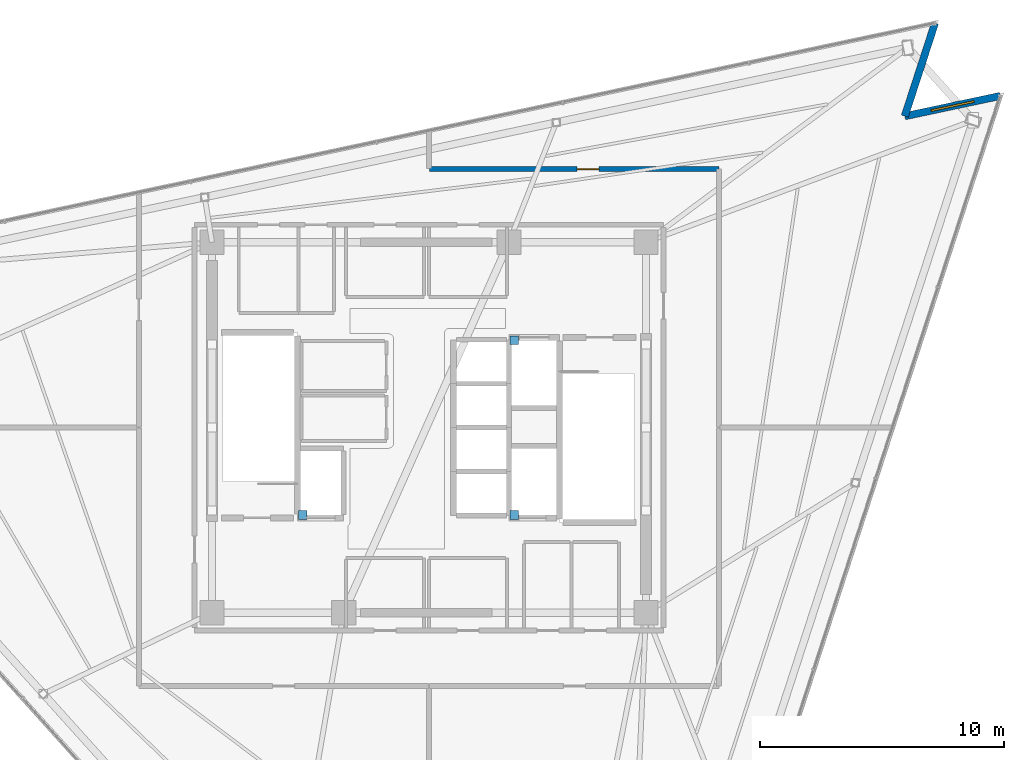
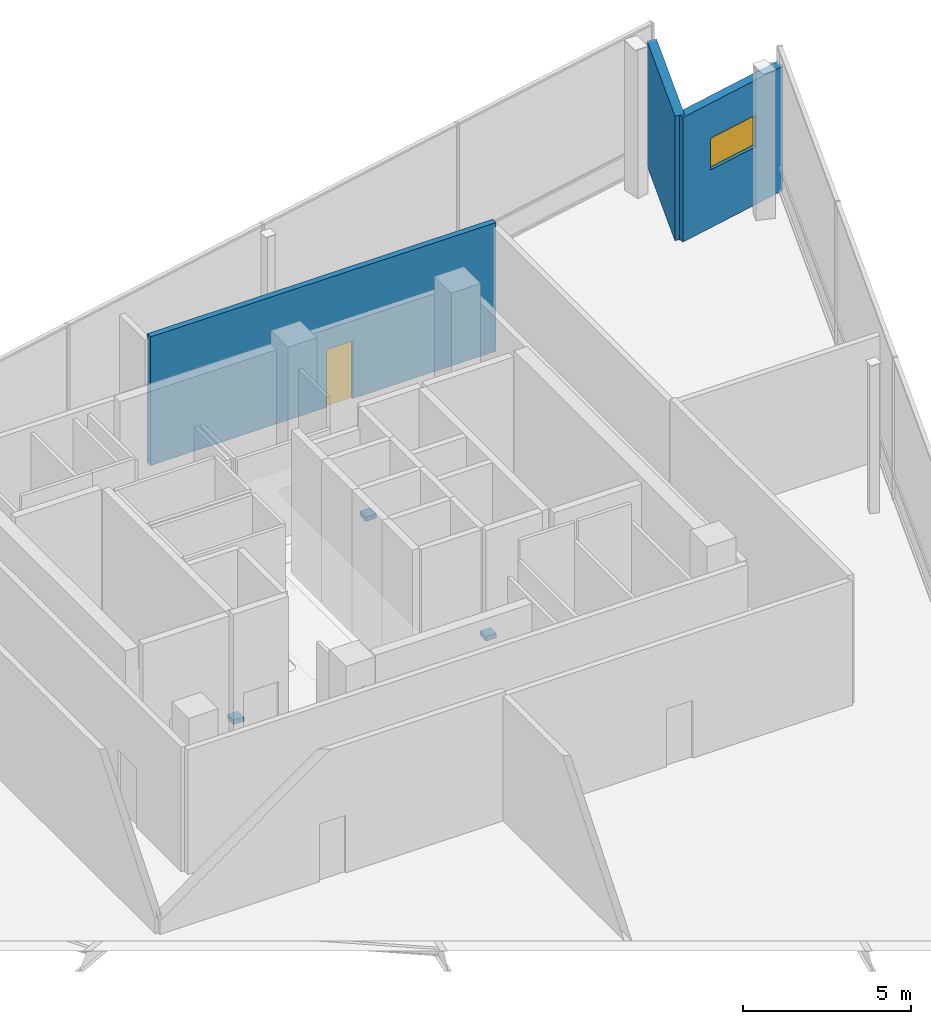
# One storey, part 13 of 14: 3 discrete accessories, 3 walls, 1 door, 1 window, 2 openings.
"""IFC4 building model written with IfcOpenShell, lengths in metres."""

from ifc_helpers import new_model, si_unit, direction, frame, frame_2d, origin, origin_2d, place, context, subcontext, project, spatial, rectangle, extrude, material, layer, layer_set, type_object, element, fill, save


model = new_model("IFC4")

# Units and contexts
model_context = context("Model", 3, precision=1e-05, world=origin(), true_north=direction((0.0, 1.0)))
body_context = subcontext(model_context, "Body", "Model", "MODEL_VIEW")
ifc_project = project(units=[si_unit("LENGTHUNIT", "METRE"), si_unit("AREAUNIT", "SQUARE_METRE"), si_unit("VOLUMEUNIT", "CUBIC_METRE"), si_unit("PLANEANGLEUNIT", "RADIAN"), si_unit("MASSUNIT", "GRAM", prefix="KILO")], contexts=[model_context])

# Site, building, storey
site_placement = place(None, origin())
site = spatial("IfcSite", under=ifc_project, at=site_placement, CompositionType="ELEMENT")
building_placement = place(site_placement, origin())
building = spatial("IfcBuilding", under=site, at=building_placement, Name="Tharavind Bronze Gate", CompositionType="ELEMENT")
storey_placement = place(building_placement, frame((0.0, 0.0, 310.85009765625)))
storey = spatial("IfcBuildingStorey", under=building, at=storey_placement, Name="L80", CompositionType="ELEMENT", Elevation=310.85009765625)

# Wall, opening, window
ifc_material_1 = material(Name="Concrete C40/50", Category="concrete")
ifc_layer_1 = layer(ifc_material_1, 0.300048828125)
ifc_layer_set_1 = layer_set([ifc_layer_1], Name="Concrete C40/50")
wall_type_1 = type_object("IfcWallType", Name="EXTERIOR SPANDREL WALL 300", PredefinedType="STANDARD", material=ifc_layer_set_1)
wall_1_placement = place(storey_placement, frame((23.433837890625, 13.603271484375, 0.0), z_axis=(0.0, 0.0, 1.0), x_axis=(-0.97815049033, -0.207898095871, 0.0)))
wall_1 = element("IfcWall", 1, at=wall_1_placement, inside=storey, type_object=wall_type_1, Name="L80 notch cheek wall 3A", PredefinedType="STANDARD", context=body_context, shape_type="SweptSolid", body=[
    extrude(rectangle(XDim=4.008056640625, YDim=0.300048828125, at=frame_2d((2.00390625, 0.0))), origin(), (0.0, 0.0, 1.0), 4.52490234375),
])
opening_1_placement = place(wall_1_placement, frame((1.10400390625, 0.0, 2.10009765625)))
opening_1 = element("IfcOpeningElement", 2, at=opening_1_placement, cuts=wall_1, Name="Opening W07", PredefinedType="OPENING", context=body_context, shape_type="SweptSolid", body=[
    extrude(rectangle(XDim=1.800048828125, YDim=1.14990234375, at=frame_2d((0.89990234375, 0.574951171875))), frame((0.0, 0.15990234375, 0.0), z_axis=(0.0, -1.0, 0.0), x_axis=(1.0, 0.0, 0.0)), (0.0, 0.0, 1.0), 0.320048828125),
])
ifc_material_2 = material(Name="Bronze Aluminium & Low-E Glass", Category="aluminium")
window_type = type_object("IfcWindowType", Name="CROWN CLERESTORY SKYLIGHT 1800X1150", PartitioningType="SINGLE_PANEL", PredefinedType="SKYLIGHT", material=ifc_material_2)
window_placement = place(opening_1_placement, origin())
window = element("IfcWindow", 3, at=window_placement, inside=storey, type_object=window_type, Name="L80 crown clerestory skylight 3", OverallHeight=1.14990234375, OverallWidth=1.800048828125, PartitioningType="SINGLE_PANEL", PredefinedType="SKYLIGHT", context=body_context, shape_type="SweptSolid", body=[
    extrude(rectangle(XDim=1.800048828125, YDim=1.14990234375, at=frame_2d((0.89990234375, 0.574951171875))), frame((0.0, 0.030029296875, 0.0), z_axis=(0.0, -1.0, 0.0), x_axis=(1.0, 0.0, 0.0)), (0.0, 0.0, 1.0), 0.06005859375),
])
fill(opening_1, window)

# Wall
wall_2_placement = place(storey_placement, frame((19.513427734375, 12.77001953125, 0.0), z_axis=(0.0, 0.0, 1.0), x_axis=(0.309018580232, 0.951056001018, 0.0)))
element("IfcWall", 4, at=wall_2_placement, inside=storey, type_object=wall_type_1, Name="L80 notch cheek wall 3B", PredefinedType="STANDARD", context=body_context, shape_type="SweptSolid", body=[
    extrude(rectangle(XDim=4.0078125, YDim=0.300048828125, at=frame_2d((2.00390625, 0.0))), origin(), (0.0, 0.0, 1.0), 4.52490234375),
])

# Wall, opening, door
ifc_material_3 = material(Name="Aerated Concrete Block", Category="concrete")
ifc_layer_2 = layer(ifc_material_3, 0.199951171875)
ifc_layer_set_2 = layer_set([ifc_layer_2], Name="Aerated Concrete Block")
wall_type_2 = type_object("IfcWallType", Name="FIRE RATED PARTITION 200", PredefinedType="PARTITIONING", material=ifc_layer_set_2)
wall_3_placement = place(storey_placement, frame((11.8994140625, 10.60009765625, 0.0), z_axis=(0.0, 0.0, 1.0), x_axis=(-1.0, 0.0, 0.0)))
wall_3 = element("IfcWall", 5, at=wall_3_placement, inside=storey, type_object=wall_type_2, Name="L80 Crown AHU & Chiller Plant Room North partition", PredefinedType="PARTITIONING", context=body_context, shape_type="SweptSolid", body=[
    extrude(rectangle(XDim=11.87451171875, YDim=0.199951171875, at=frame_2d((5.937255859375, 0.0))), origin(), (0.0, 0.0, 1.0), 4.6748046875),
])
opening_2_placement = place(wall_3_placement, frame((4.927001953125, 0.0, 0.0)))
opening_2 = element("IfcOpeningElement", 6, at=opening_2_placement, cuts=wall_3, Name="Opening ID07", PredefinedType="OPENING", context=body_context, shape_type="SweptSolid", body=[
    extrude(rectangle(XDim=0.89990234375, YDim=2.10009765625, at=frame_2d((0.449951171875, 1.050048828125))), frame((0.0, 0.11009765625, 0.0), z_axis=(0.0, -1.0, 0.0), x_axis=(1.0, 0.0, 0.0)), (0.0, 0.0, 1.0), 0.219951171875),
])
ifc_material_4 = material(Name="Galvanised Fire Steel", Category="steel")
door_type = type_object("IfcDoorType", Name="PLANT AND RISER FIRE DOOR 900X2100", OperationType="SINGLE_SWING_LEFT", PredefinedType="DOOR", material=ifc_material_4)
door_placement = place(opening_2_placement, origin())
door = element("IfcDoor", 7, at=door_placement, inside=storey, type_object=door_type, Name="L80 Crown AHU & Chiller Plant Room North door", OperationType="SINGLE_SWING_LEFT", OverallHeight=2.10009765625, OverallWidth=0.89990234375, PredefinedType="DOOR", context=body_context, shape_type="SweptSolid", body=[
    extrude(rectangle(XDim=0.89990234375, YDim=2.10009765625, at=frame_2d((0.449951171875, 1.050048828125))), frame((0.0, 0.02490234375, 0.0), z_axis=(0.0, -1.0, 0.0), x_axis=(1.0, 0.0, 0.0)), (0.0, 0.0, 1.0), 0.050048828125),
])
fill(opening_2, door)

# Discrete accessories
ifc_material_5 = material(Name="Galvanised Steel S355", Category="steel")
discrete_accessory_type = type_object("IfcDiscreteAccessoryType", Name="LIFT GUIDE RAIL BRACKET", PredefinedType="BRACKET", material=ifc_material_5)
for number, where, z_axis, x_axis, name in (
    (8, (-5.179931640625, -3.580078125, 1.1201171875), (0.0, 0.0, 1.0), (1.0, 0.0, 0.0), "Lift FFL1 guide rail bracket at L80"),
    (9, (3.5, 3.580078125, 1.1201171875), (0.0, 0.0, 1.0), (1.0, 0.0, 0.0), "Lift FFL2 guide rail bracket at L80"),
    (10, (3.5, -3.580078125, 1.1201171875), (0.0, 0.0, 1.0), (1.0, 0.0, 0.0), "Lift SVL1 guide rail bracket at L80"),
):
    element("IfcDiscreteAccessory", number, at=place(storey_placement, frame(where, z_axis=z_axis, x_axis=x_axis)), inside=storey, type_object=discrete_accessory_type, Name=name, PredefinedType="BRACKET", context=body_context, shape_type="SweptSolid", body=[
        extrude(rectangle(XDim=0.360107421875, YDim=0.360107421875, at=origin_2d()), origin(), (0.0, 0.0, 1.0), 0.159912109375),
    ])

save(model, "model.ifc")
